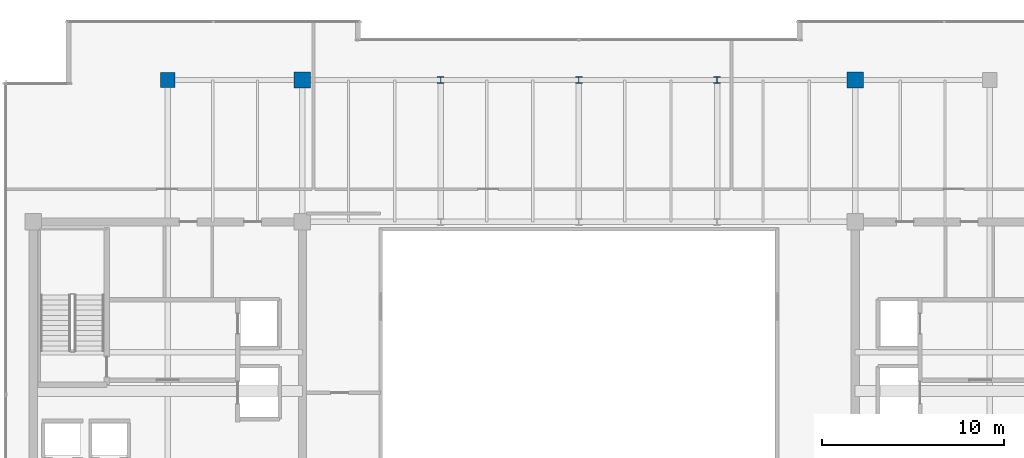
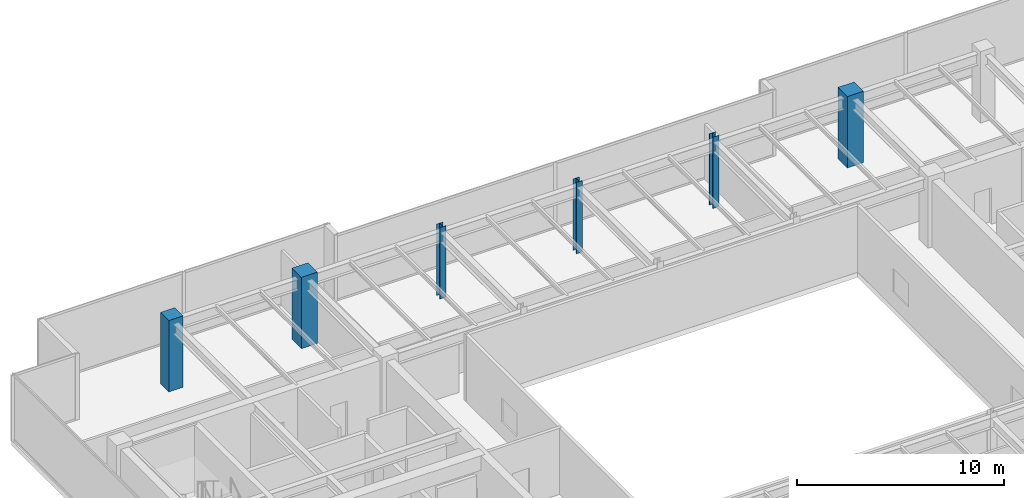
# One storey, part 3 of 31: 6 columns.
"""IFC4 building model written with IfcOpenShell, lengths in metres."""

from ifc_helpers import new_model, si_unit, direction, frame, origin, origin_2d, place, context, subcontext, project, spatial, rectangle, i_section, extrude, source, transform, mapped, material, material_profile, profile_set, type_object, type_shapes, element, save


model = new_model("IFC4")

# Units and contexts
model_context = context("Model", 3, precision=1e-05, world=origin(), true_north=direction((0.0, 1.0)))
body_context = subcontext(model_context, "Body", "Model", "MODEL_VIEW")
ifc_project = project(units=[si_unit("LENGTHUNIT", "METRE"), si_unit("AREAUNIT", "SQUARE_METRE"), si_unit("VOLUMEUNIT", "CUBIC_METRE"), si_unit("PLANEANGLEUNIT", "RADIAN"), si_unit("MASSUNIT", "GRAM", prefix="KILO")], contexts=[model_context])

# Site, building, storey
site_placement = place(None, origin())
site = spatial("IfcSite", under=ifc_project, at=site_placement, CompositionType="ELEMENT")
building_placement = place(site_placement, origin())
building = spatial("IfcBuilding", under=site, at=building_placement, Name="Haelvirn Gate Laboratories", CompositionType="ELEMENT")
storey_placement = place(building_placement, frame((0.0, 0.0, 318.60009765625)))
storey = spatial("IfcBuildingStorey", under=building, at=storey_placement, Name="L76", CompositionType="ELEMENT", Elevation=318.60009765625)

# Columns
ifc_material_1 = material(Name="Concrete C50/60", Category="concrete")
ifc_material_profile_1 = material_profile(ifc_material_1, rectangle(XDim=0.800048828125, YDim=0.800048828125, at=origin_2d()), Name="RC-800x800")
ifc_profile_set_1 = profile_set([ifc_material_profile_1], Name="Concrete C50/60")
column_type_1 = type_object("IfcColumnType", Name="COL-RC-800", PredefinedType="COLUMN", material=ifc_profile_set_1)
shared_shape_1 = source(origin(), body_context, "Body", "SweptSolid", [
    extrude(rectangle(XDim=0.800048828125, YDim=0.800048828125, at=origin_2d()), origin(), (0.0, 0.0, 1.0), 4.199951171875),
])
type_shapes(column_type_1, [shared_shape_1])
column_placement = place(storey_placement, frame((14.800048828125, 41.60009765625, 0.0), z_axis=(0.0, 0.0, 1.0), x_axis=(1.0, 0.0, 0.0)))
element("IfcColumn", 1, at=column_placement, inside=storey, type_object=column_type_1, Name="L76 Column 3G", PredefinedType="COLUMN", context=body_context, shape_type="MappedRepresentation", body=[
    mapped(shared_shape_1, transform((0.0, 0.0, 0.0), scale=1.0)),
])
ifc_material_profile_2 = material_profile(ifc_material_1, rectangle(XDim=0.89990234375, YDim=0.89990234375, at=origin_2d()), Name="RC-900x900")
ifc_profile_set_2 = profile_set([ifc_material_profile_2], Name="Concrete C50/60")
column_type_2 = type_object("IfcColumnType", Name="COL-RC-900", PredefinedType="COLUMN", material=ifc_profile_set_2)
shared_shape_2 = source(origin(), body_context, "Body", "SweptSolid", [
    extrude(rectangle(XDim=0.89990234375, YDim=0.89990234375, at=origin_2d()), origin(), (0.0, 0.0, 1.0), 4.199951171875),
])
type_shapes(column_type_2, [shared_shape_2])
for number, where, z_axis, x_axis, name in (
    (2, (22.199951171875, 41.60009765625, 0.0), (0.0, 0.0, 1.0), (1.0, 0.0, 0.0), "L76 Column 4G"),
    (3, (52.60009765625, 41.60009765625, 0.0), (0.0, 0.0, 1.0), (1.0, 0.0, 0.0), "L76 Column 8G"),
):
    element("IfcColumn", number, at=place(storey_placement, frame(where, z_axis=z_axis, x_axis=x_axis)), inside=storey, type_object=column_type_2, Name=name, PredefinedType="COLUMN", context=body_context, shape_type="MappedRepresentation", body=[
        mapped(shared_shape_2, transform((0.0, 0.0, 0.0), scale=1.0)),
    ])
ifc_material_2 = material(Name="Steel SM355", Category="steel")
ifc_material_profile_3 = material_profile(ifc_material_2, i_section(OverallWidth=0.35009765625, OverallDepth=0.35009765625, WebThickness=0.011962890625, FlangeThickness=0.01904296875, at=origin_2d()), Name="H-350x350x12x19")
ifc_profile_set_3 = profile_set([ifc_material_profile_3], Name="Steel SM355")
column_type_3 = type_object("IfcColumnType", Name="COL-H-350", PredefinedType="COLUMN", material=ifc_profile_set_3)
shared_shape_3 = source(origin(), body_context, "Body", "SweptSolid", [
    extrude(i_section(OverallWidth=0.35009765625, OverallDepth=0.35009765625, WebThickness=0.011962890625, FlangeThickness=0.01904296875, at=origin_2d()), origin(), (0.0, 0.0, 1.0), 4.199951171875),
])
type_shapes(column_type_3, [shared_shape_3])
for number, where, z_axis, x_axis, name in (
    (4, (29.800048828125, 41.60009765625, 0.0), (0.0, 0.0, 1.0), (1.0, 0.0, 0.0), "L76 Column 5G"),
    (5, (37.39990234375, 41.60009765625, 0.0), (0.0, 0.0, 1.0), (1.0, 0.0, 0.0), "L76 Column 6G"),
    (6, (45.0, 41.60009765625, 0.0), (0.0, 0.0, 1.0), (1.0, 0.0, 0.0), "L76 Column 7G"),
):
    element("IfcColumn", number, at=place(storey_placement, frame(where, z_axis=z_axis, x_axis=x_axis)), inside=storey, type_object=column_type_3, Name=name, PredefinedType="COLUMN", context=body_context, shape_type="MappedRepresentation", body=[
        mapped(shared_shape_3, transform((0.0, 0.0, 0.0), scale=1.0)),
    ])

save(model, "model.ifc")
